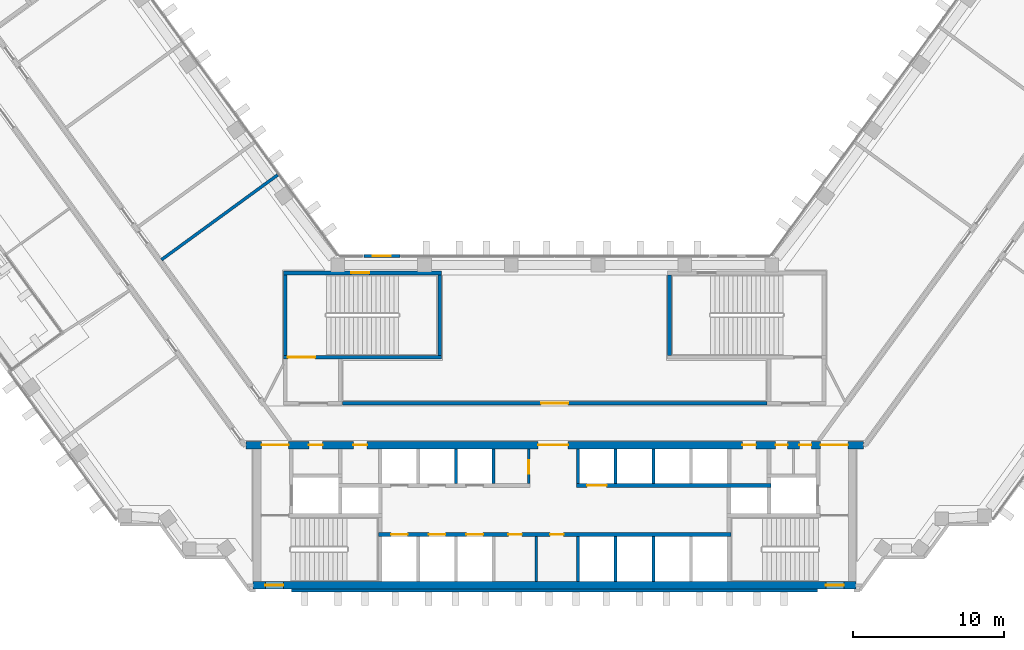
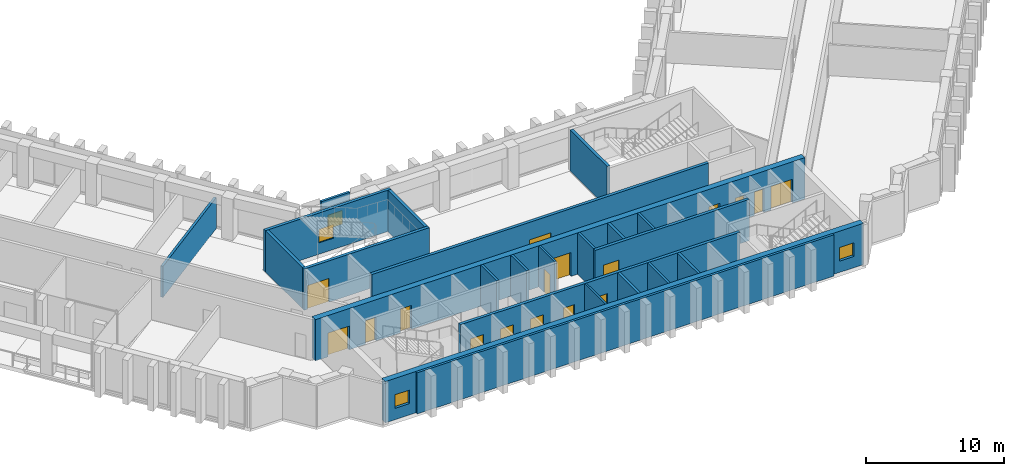
# One storey, part 9 of 16: 23 walls, 17 doors, 4 windows, 21 openings.
"""IFC4 building model written with IfcOpenShell, lengths in metres."""

from ifc_helpers import new_model, si_unit, direction, frame, frame_2d, origin, place, context, subcontext, project, spatial, rectangle, extrude, material, layer, layer_set, type_object, element, fill, save


model = new_model("IFC4")

# Units and contexts
model_context = context("Model", 3, precision=1e-05, world=origin(), true_north=direction((0.0, 1.0)))
body_context = subcontext(model_context, "Body", "Model", "MODEL_VIEW")
ifc_project = project(units=[si_unit("LENGTHUNIT", "METRE"), si_unit("AREAUNIT", "SQUARE_METRE"), si_unit("VOLUMEUNIT", "CUBIC_METRE"), si_unit("PLANEANGLEUNIT", "RADIAN"), si_unit("MASSUNIT", "GRAM", prefix="KILO")], contexts=[model_context])

# Site, building, storey
site_placement = place(None, origin())
site = spatial("IfcSite", under=ifc_project, at=site_placement, CompositionType="ELEMENT")
building_placement = place(site_placement, origin())
building = spatial("IfcBuilding", under=site, at=building_placement, Name="Quipu Civic Tower", CompositionType="ELEMENT")
storey_placement = place(building_placement, frame((0.0, 0.0, 51.0)))
storey = spatial("IfcBuildingStorey", under=building, at=storey_placement, Name="L11", CompositionType="ELEMENT", Elevation=51.0)

# Wall
ifc_material_1 = material(Name="Fired clay blockwork", Category="masonry")
ifc_layer_1 = layer(ifc_material_1, 0.199951171875)
ifc_layer_set_1 = layer_set([ifc_layer_1], Name="Fired clay blockwork")
wall_type_1 = type_object("IfcWallType", Name="Blockwork wall 200", PredefinedType="SOLIDWALL", material=ifc_layer_set_1)
wall_1_placement = place(storey_placement, frame((-26.089111328125, 10.847900390625, 0.0), z_axis=(0.0, 0.0, 1.0), x_axis=(0.807661302092, 0.589646691759, 0.0)))
element("IfcWall", 1, at=wall_1_placement, inside=storey, type_object=wall_type_1, Name="Partition P17", PredefinedType="SOLIDWALL", context=body_context, shape_type="SweptSolid", body=[
    extrude(rectangle(XDim=9.550048828125, YDim=0.199951171875, at=frame_2d((4.77490234375, 0.0))), origin(), (0.0, 0.0, 1.0), 2.75),
])

# Wall, openings, doors
ifc_material_2 = material(Name="Concrete C70/85", Category="concrete")
ifc_layer_2 = layer(ifc_material_2, 0.25)
ifc_layer_set_2 = layer_set([ifc_layer_2], Name="Concrete C70/85")
wall_type_2 = type_object("IfcWallType", Name="Core wall 250", PredefinedType="SHEAR", material=ifc_layer_set_2)
wall_2_placement = place(storey_placement, frame((11.699951171875, -7.375, 0.0), z_axis=(0.0, 0.0, 1.0), x_axis=(-1.0, 0.0, 0.0)))
wall_2 = element("IfcWall", 2, at=wall_2_placement, inside=storey, type_object=wall_type_2, Name="Core wall", PredefinedType="SHEAR", context=body_context, shape_type="SweptSolid", body=[
    extrude(rectangle(XDim=23.39990234375, YDim=0.25, at=frame_2d((11.699951171875, 0.0))), origin(), (0.0, 0.0, 1.0), 3.64990234375),
])
opening_1_placement = place(wall_2_placement, frame((21.449951171875, 0.0, 0.0)))
opening_1 = element("IfcOpeningElement", 3, at=opening_1_placement, cuts=wall_2, Name="Opening LD-LL1", PredefinedType="OPENING", context=body_context, shape_type="SweptSolid", body=[
    extrude(rectangle(XDim=1.10009765625, YDim=2.10009765625, at=frame_2d((0.550048828125, 1.050048828125))), frame((0.0, 0.135009765625, 0.0), z_axis=(0.0, -1.0, 0.0), x_axis=(1.0, 0.0, 0.0)), (0.0, 0.0, 1.0), 0.27001953125),
])
opening_2_placement = place(wall_2_placement, frame((18.949951171875, 0.0, 0.0)))
opening_2 = element("IfcOpeningElement", 4, at=opening_2_placement, cuts=wall_2, Name="Opening LD-LL2", PredefinedType="OPENING", context=body_context, shape_type="SweptSolid", body=[
    extrude(rectangle(XDim=1.10009765625, YDim=2.10009765625, at=frame_2d((0.550048828125, 1.050048828125))), frame((0.0, 0.135009765625, 0.0), z_axis=(0.0, -1.0, 0.0), x_axis=(1.0, 0.0, 0.0)), (0.0, 0.0, 1.0), 0.27001953125),
])
opening_3_placement = place(wall_2_placement, frame((16.449951171875, 0.0, 0.0)))
opening_3 = element("IfcOpeningElement", 5, at=opening_3_placement, cuts=wall_2, Name="Opening LD-LL3", PredefinedType="OPENING", context=body_context, shape_type="SweptSolid", body=[
    extrude(rectangle(XDim=1.10009765625, YDim=2.10009765625, at=frame_2d((0.550048828125, 1.050048828125))), frame((0.0, 0.135009765625, 0.0), z_axis=(0.0, -1.0, 0.0), x_axis=(1.0, 0.0, 0.0)), (0.0, 0.0, 1.0), 0.27001953125),
])
opening_4_placement = place(wall_2_placement, frame((13.875, 0.0, 0.0)))
opening_4 = element("IfcOpeningElement", 6, at=opening_4_placement, cuts=wall_2, Name="Opening CD-01", PredefinedType="OPENING", context=body_context, shape_type="SweptSolid", body=[
    extrude(rectangle(XDim=0.89990234375, YDim=2.10009765625, at=frame_2d((0.449951171875, 1.050048828125))), frame((0.0, 0.135009765625, 0.0), z_axis=(0.0, -1.0, 0.0), x_axis=(1.0, 0.0, 0.0)), (0.0, 0.0, 1.0), 0.27001953125),
])
opening_5_placement = place(wall_2_placement, frame((11.10009765625, 0.0, 0.0)))
opening_5 = element("IfcOpeningElement", 7, at=opening_5_placement, cuts=wall_2, Name="Opening CD-02", PredefinedType="OPENING", context=body_context, shape_type="SweptSolid", body=[
    extrude(rectangle(XDim=0.89990234375, YDim=2.10009765625, at=frame_2d((0.449951171875, 1.050048828125))), frame((0.0, 0.135009765625, 0.0), z_axis=(0.0, -1.0, 0.0), x_axis=(1.0, 0.0, 0.0)), (0.0, 0.0, 1.0), 0.27001953125),
])
ifc_material_3 = material(Name="Fire rated steel door", Category="steel")
door_type_1 = type_object("IfcDoorType", Name="Fire door FD60 900 x 2100", OperationType="NOTDEFINED", PredefinedType="DOOR", material=ifc_material_3)
door_1_placement = place(opening_4_placement, origin())
door_1 = element("IfcDoor", 8, at=door_1_placement, inside=storey, type_object=door_type_1, Name="WC door", OperationType="SINGLE_SWING_RIGHT", OverallHeight=2.10009765625, OverallWidth=0.89990234375, PredefinedType="DOOR", context=body_context, shape_type="SweptSolid", body=[
    extrude(rectangle(XDim=0.89990234375, YDim=2.10009765625, at=frame_2d((0.449951171875, 1.050048828125))), frame((0.0, 0.02490234375, 0.0), z_axis=(0.0, -1.0, 0.0), x_axis=(1.0, 0.0, 0.0)), (0.0, 0.0, 1.0), 0.050048828125),
])
fill(opening_4, door_1)
door_2_placement = place(opening_5_placement, origin())
door_2 = element("IfcDoor", 9, at=door_2_placement, inside=storey, type_object=door_type_1, Name="WC door", OperationType="SINGLE_SWING_LEFT", OverallHeight=2.10009765625, OverallWidth=0.89990234375, PredefinedType="DOOR", context=body_context, shape_type="SweptSolid", body=[
    extrude(rectangle(XDim=0.89990234375, YDim=2.10009765625, at=frame_2d((0.449951171875, 1.050048828125))), frame((0.0, 0.02490234375, 0.0), z_axis=(0.0, -1.0, 0.0), x_axis=(1.0, 0.0, 0.0)), (0.0, 0.0, 1.0), 0.050048828125),
])
fill(opening_5, door_2)
ifc_material_4 = material(Name="Stainless steel", Category="steel")
door_type_2 = type_object("IfcDoorType", Name="Lift landing door 1100 x 2100", OperationType="DOUBLE_DOOR_SLIDING", PredefinedType="DOOR", material=ifc_material_4)
door_3_placement = place(opening_1_placement, origin())
door_3 = element("IfcDoor", 10, at=door_3_placement, inside=storey, type_object=door_type_2, Name="Landing door LL1", OperationType="DOUBLE_DOOR_SLIDING", OverallHeight=2.10009765625, OverallWidth=1.10009765625, PredefinedType="DOOR", context=body_context, shape_type="SweptSolid", body=[
    extrude(rectangle(XDim=1.10009765625, YDim=2.10009765625, at=frame_2d((0.550048828125, 1.050048828125))), frame((0.0, 0.02490234375, 0.0), z_axis=(0.0, -1.0, 0.0), x_axis=(1.0, 0.0, 0.0)), (0.0, 0.0, 1.0), 0.050048828125),
])
fill(opening_1, door_3)
door_4_placement = place(opening_2_placement, origin())
door_4 = element("IfcDoor", 11, at=door_4_placement, inside=storey, type_object=door_type_2, Name="Landing door LL2", OperationType="DOUBLE_DOOR_SLIDING", OverallHeight=2.10009765625, OverallWidth=1.10009765625, PredefinedType="DOOR", context=body_context, shape_type="SweptSolid", body=[
    extrude(rectangle(XDim=1.10009765625, YDim=2.10009765625, at=frame_2d((0.550048828125, 1.050048828125))), frame((0.0, 0.02490234375, 0.0), z_axis=(0.0, -1.0, 0.0), x_axis=(1.0, 0.0, 0.0)), (0.0, 0.0, 1.0), 0.050048828125),
])
fill(opening_2, door_4)
door_5_placement = place(opening_3_placement, origin())
door_5 = element("IfcDoor", 12, at=door_5_placement, inside=storey, type_object=door_type_2, Name="Landing door LL3", OperationType="DOUBLE_DOOR_SLIDING", OverallHeight=2.10009765625, OverallWidth=1.10009765625, PredefinedType="DOOR", context=body_context, shape_type="SweptSolid", body=[
    extrude(rectangle(XDim=1.10009765625, YDim=2.10009765625, at=frame_2d((0.550048828125, 1.050048828125))), frame((0.0, 0.02490234375, 0.0), z_axis=(0.0, -1.0, 0.0), x_axis=(1.0, 0.0, 0.0)), (0.0, 0.0, 1.0), 0.050048828125),
])
fill(opening_3, door_5)

# Wall, opening, door
wall_3_placement = place(storey_placement, frame((1.449951171875, -4.125, 0.0), z_axis=(0.0, 0.0, 1.0), x_axis=(1.0, 0.0, 0.0)))
wall_3 = element("IfcWall", 13, at=wall_3_placement, inside=storey, type_object=wall_type_2, Name="Core wall", PredefinedType="SHEAR", context=body_context, shape_type="SweptSolid", body=[
    extrude(rectangle(XDim=12.900146484375, YDim=0.25, at=frame_2d((6.4501953125, 0.0))), origin(), (0.0, 0.0, 1.0), 3.64990234375),
])
opening_6_placement = place(wall_3_placement, frame((0.699951171875, 0.0, 0.0)))
opening_6 = element("IfcOpeningElement", 14, at=opening_6_placement, cuts=wall_3, Name="Opening LD-FF3", PredefinedType="OPENING", context=body_context, shape_type="SweptSolid", body=[
    extrude(rectangle(XDim=1.300048828125, YDim=2.10009765625, at=frame_2d((0.64990234375, 1.050048828125))), frame((0.0, 0.135009765625, 0.0), z_axis=(0.0, -1.0, 0.0), x_axis=(1.0, 0.0, 0.0)), (0.0, 0.0, 1.0), 0.27001953125),
])
ifc_material_5 = material(Name="Stainless steel", Category="steel")
door_type_3 = type_object("IfcDoorType", Name="Lift landing door 1300 x 2100", OperationType="DOUBLE_DOOR_SLIDING", PredefinedType="DOOR", material=ifc_material_5)
door_6_placement = place(opening_6_placement, origin())
door_6 = element("IfcDoor", 15, at=door_6_placement, inside=storey, type_object=door_type_3, Name="Landing door FF3", OperationType="DOUBLE_DOOR_SLIDING", OverallHeight=2.10009765625, OverallWidth=1.300048828125, PredefinedType="DOOR", context=body_context, shape_type="SweptSolid", body=[
    extrude(rectangle(XDim=1.300048828125, YDim=2.10009765625, at=frame_2d((0.64990234375, 1.050048828125))), frame((0.0, 0.02490234375, 0.0), z_axis=(0.0, -1.0, 0.0), x_axis=(1.0, 0.0, 0.0)), (0.0, 0.0, 1.0), 0.050048828125),
])
fill(opening_6, door_6)

wall_4_placement = place(storey_placement, frame((-18.0, 4.375, 0.0), z_axis=(0.0, 0.0, 1.0), x_axis=(1.0, 0.0, 0.0)))
wall_4 = element("IfcWall", 16, at=wall_4_placement, inside=storey, type_object=wall_type_2, Name="Core wall", PredefinedType="SHEAR", context=body_context, shape_type="SweptSolid", body=[
    extrude(rectangle(XDim=10.5, YDim=0.25, at=frame_2d((5.25, 0.0))), origin(), (0.0, 0.0, 1.0), 3.64990234375),
])
opening_7_placement = place(wall_4_placement, frame((0.300048828125, 0.0, 0.0)))
opening_7 = element("IfcOpeningElement", 17, at=opening_7_placement, cuts=wall_4, Name="Opening CD-15", PredefinedType="OPENING", context=body_context, shape_type="SweptSolid", body=[
    extrude(rectangle(XDim=1.800048828125, YDim=2.10009765625, at=frame_2d((0.89990234375, 1.050048828125))), frame((0.0, 0.135009765625, 0.0), z_axis=(0.0, -1.0, 0.0), x_axis=(1.0, 0.0, 0.0)), (0.0, 0.0, 1.0), 0.27001953125),
])
ifc_material_6 = material(Name="Fire rated steel door", Category="steel")
door_type_4 = type_object("IfcDoorType", Name="Fire door FD90 double 1800 x 2100", OperationType="NOTDEFINED", PredefinedType="DOOR", material=ifc_material_6)
door_7_placement = place(opening_7_placement, origin())
door_7 = element("IfcDoor", 18, at=door_7_placement, inside=storey, type_object=door_type_4, Name="Door", OperationType="DOUBLE_DOOR_SINGLE_SWING", OverallHeight=2.10009765625, OverallWidth=1.800048828125, PredefinedType="DOOR", context=body_context, shape_type="SweptSolid", body=[
    extrude(rectangle(XDim=1.800048828125, YDim=2.10009765625, at=frame_2d((0.89990234375, 1.050048828125))), frame((0.0, 0.02490234375, 0.0), z_axis=(0.0, -1.0, 0.0), x_axis=(1.0, 0.0, 0.0)), (0.0, 0.0, 1.0), 0.050048828125),
])
fill(opening_7, door_7)

# Walls
for number, where, z_axis, x_axis, name in (
    (19, (-17.875, 4.5, 0.0), (0.0, 0.0, 1.0), (0.0, 1.0, 0.0), "Core wall"),
    (20, (-7.625, 4.5, 0.0), (0.0, 0.0, 1.0), (0.0, 1.0, 0.0), "Core wall"),
):
    element("IfcWall", number, at=place(storey_placement, frame(where, z_axis=z_axis, x_axis=x_axis)), inside=storey, type_object=wall_type_2, Name=name, PredefinedType="SHEAR", context=body_context, shape_type="SweptSolid", body=[
        extrude(rectangle(XDim=5.35009765625, YDim=0.25, at=frame_2d((2.675048828125, 0.0))), origin(), (0.0, 0.0, 1.0), 3.64990234375),
    ])

# Wall, opening, window
wall_5_placement = place(storey_placement, frame((-18.0, 9.97509765625, 0.0), z_axis=(0.0, 0.0, 1.0), x_axis=(1.0, 0.0, 0.0)))
wall_5 = element("IfcWall", 21, at=wall_5_placement, inside=storey, type_object=wall_type_2, Name="Core wall", PredefinedType="SHEAR", context=body_context, shape_type="SweptSolid", body=[
    extrude(rectangle(XDim=10.5, YDim=0.25, at=frame_2d((5.25, 0.0))), origin(), (0.0, 0.0, 1.0), 3.64990234375),
])
opening_8_placement = place(wall_5_placement, frame((4.5, 0.0, 1.0)))
opening_8 = element("IfcOpeningElement", 22, at=opening_8_placement, cuts=wall_5, Name="Opening SV-3", PredefinedType="OPENING", context=body_context, shape_type="SweptSolid", body=[
    extrude(rectangle(XDim=1.199951171875, YDim=1.199951171875, at=frame_2d((0.60009765625, 0.60009765625))), frame((0.0, 0.135009765625, 0.0), z_axis=(0.0, -1.0, 0.0), x_axis=(1.0, 0.0, 0.0)), (0.0, 0.0, 1.0), 0.27001953125),
])
ifc_material_7 = material(Name="Aluminium louvre", Category="aluminium")
window_type_1 = type_object("IfcWindowType", Name="Stair ventilation louvre 1200 x 1200", PartitioningType="SINGLE_PANEL", PredefinedType="WINDOW", material=ifc_material_7)
window_1_placement = place(opening_8_placement, origin())
window_1 = element("IfcWindow", 23, at=window_1_placement, inside=storey, type_object=window_type_1, Name="Stair ventilation opening", OverallHeight=1.199951171875, OverallWidth=1.199951171875, PartitioningType="SINGLE_PANEL", PredefinedType="WINDOW", context=body_context, shape_type="SweptSolid", body=[
    extrude(rectangle(XDim=1.199951171875, YDim=1.199951171875, at=frame_2d((0.60009765625, 0.60009765625))), frame((0.0, 0.030029296875, 0.0), z_axis=(0.0, -1.0, 0.0), x_axis=(1.0, 0.0, 0.0)), (0.0, 0.0, 1.0), 0.06005859375),
])
fill(opening_8, window_1)

# Wall
wall_6_placement = place(storey_placement, frame((7.625, 4.5, 0.0), z_axis=(0.0, 0.0, 1.0), x_axis=(0.0, 1.0, 0.0)))
element("IfcWall", 24, at=wall_6_placement, inside=storey, type_object=wall_type_2, Name="Core wall", PredefinedType="SHEAR", context=body_context, shape_type="SweptSolid", body=[
    extrude(rectangle(XDim=5.35009765625, YDim=0.25, at=frame_2d((2.675048828125, 0.0))), origin(), (0.0, 0.0, 1.0), 3.64990234375),
])

# Wall, openings, windows
ifc_material_8 = material(Name="Concrete C70/85", Category="concrete")
ifc_layer_3 = layer(ifc_material_8, 0.5)
ifc_layer_set_3 = layer_set([ifc_layer_3], Name="Concrete C70/85")
wall_type_3 = type_object("IfcWallType", Name="Core wall 500", PredefinedType="SHEAR", material=ifc_layer_set_3)
wall_7_placement = place(storey_placement, frame((-20.0, -10.75, 0.0), z_axis=(0.0, 0.0, 1.0), x_axis=(1.0, 0.0, 0.0)))
wall_7 = element("IfcWall", 25, at=wall_7_placement, inside=storey, type_object=wall_type_3, Name="Core wall", PredefinedType="SHEAR", context=body_context, shape_type="SweptSolid", body=[
    extrude(rectangle(XDim=40.0, YDim=0.5, at=frame_2d((20.0, 0.0))), origin(), (0.0, 0.0, 1.0), 3.64990234375),
])
opening_9_placement = place(wall_7_placement, frame((0.800048828125, 0.0, 1.0)))
opening_9 = element("IfcOpeningElement", 26, at=opening_9_placement, cuts=wall_7, Name="Opening SV-1", PredefinedType="OPENING", context=body_context, shape_type="SweptSolid", body=[
    extrude(rectangle(XDim=1.199951171875, YDim=1.199951171875, at=frame_2d((0.60009765625, 0.60009765625))), frame((0.0, 0.260009765625, 0.0), z_axis=(0.0, -1.0, 0.0), x_axis=(1.0, 0.0, 0.0)), (0.0, 0.0, 1.0), 0.52001953125),
])
opening_10_placement = place(wall_7_placement, frame((38.0, 0.0, 1.0)))
opening_10 = element("IfcOpeningElement", 27, at=opening_10_placement, cuts=wall_7, Name="Opening SV-2", PredefinedType="OPENING", context=body_context, shape_type="SweptSolid", body=[
    extrude(rectangle(XDim=1.199951171875, YDim=1.199951171875, at=frame_2d((0.60009765625, 0.60009765625))), frame((0.0, 0.260009765625, 0.0), z_axis=(0.0, -1.0, 0.0), x_axis=(1.0, 0.0, 0.0)), (0.0, 0.0, 1.0), 0.52001953125),
])
window_2_placement = place(opening_9_placement, origin())
window_2 = element("IfcWindow", 28, at=window_2_placement, inside=storey, type_object=window_type_1, Name="Stair ventilation opening", OverallHeight=1.199951171875, OverallWidth=1.199951171875, PartitioningType="SINGLE_PANEL", PredefinedType="WINDOW", context=body_context, shape_type="SweptSolid", body=[
    extrude(rectangle(XDim=1.199951171875, YDim=1.199951171875, at=frame_2d((0.60009765625, 0.60009765625))), frame((0.0, 0.030029296875, 0.0), z_axis=(0.0, -1.0, 0.0), x_axis=(1.0, 0.0, 0.0)), (0.0, 0.0, 1.0), 0.06005859375),
])
fill(opening_9, window_2)
window_3_placement = place(opening_10_placement, origin())
window_3 = element("IfcWindow", 29, at=window_3_placement, inside=storey, type_object=window_type_1, Name="Stair ventilation opening", OverallHeight=1.199951171875, OverallWidth=1.199951171875, PartitioningType="SINGLE_PANEL", PredefinedType="WINDOW", context=body_context, shape_type="SweptSolid", body=[
    extrude(rectangle(XDim=1.199951171875, YDim=1.199951171875, at=frame_2d((0.60009765625, 0.60009765625))), frame((0.0, 0.030029296875, 0.0), z_axis=(0.0, -1.0, 0.0), x_axis=(1.0, 0.0, 0.0)), (0.0, 0.0, 1.0), 0.06005859375),
])
fill(opening_10, window_3)

# Wall, openings, doors
wall_8_placement = place(storey_placement, frame((20.489990234375, -1.449951171875, 0.0), z_axis=(0.0, 0.0, 1.0), x_axis=(-1.0, 0.0, 0.0)))
wall_8 = element("IfcWall", 30, at=wall_8_placement, inside=storey, type_object=wall_type_3, Name="Core wall", PredefinedType="SHEAR", context=body_context, shape_type="SweptSolid", body=[
    extrude(rectangle(XDim=40.97998046875, YDim=0.5, at=frame_2d((20.489990234375, 0.0))), origin(), (0.0, 0.0, 1.0), 3.64990234375),
])
opening_11_placement = place(wall_8_placement, frame((38.139892578125, 0.0, 0.0)))
opening_11 = element("IfcOpeningElement", 31, at=opening_11_placement, cuts=wall_8, Name="Opening CD-06", PredefinedType="OPENING", context=body_context, shape_type="SweptSolid", body=[
    extrude(rectangle(XDim=1.800048828125, YDim=2.10009765625, at=frame_2d((0.89990234375, 1.050048828125))), frame((0.0, 0.260009765625, 0.0), z_axis=(0.0, -1.0, 0.0), x_axis=(1.0, 0.0, 0.0)), (0.0, 0.0, 1.0), 0.52001953125),
])
opening_12_placement = place(wall_8_placement, frame((35.889892578125, 0.0, 0.0)))
opening_12 = element("IfcOpeningElement", 32, at=opening_12_placement, cuts=wall_8, Name="Opening CD-07", PredefinedType="OPENING", context=body_context, shape_type="SweptSolid", body=[
    extrude(rectangle(XDim=0.89990234375, YDim=2.10009765625, at=frame_2d((0.449951171875, 1.050048828125))), frame((0.0, 0.260009765625, 0.0), z_axis=(0.0, -1.0, 0.0), x_axis=(1.0, 0.0, 0.0)), (0.0, 0.0, 1.0), 0.52001953125),
])
opening_13_placement = place(wall_8_placement, frame((32.93994140625, 0.0, 0.0)))
opening_13 = element("IfcOpeningElement", 33, at=opening_13_placement, cuts=wall_8, Name="Opening CD-08", PredefinedType="OPENING", context=body_context, shape_type="SweptSolid", body=[
    extrude(rectangle(XDim=0.89990234375, YDim=2.10009765625, at=frame_2d((0.449951171875, 1.050048828125))), frame((0.0, 0.260009765625, 0.0), z_axis=(0.0, -1.0, 0.0), x_axis=(1.0, 0.0, 0.0)), (0.0, 0.0, 1.0), 0.52001953125),
])
opening_14_placement = place(wall_8_placement, frame((19.590087890625, 0.0, 0.0)))
opening_14 = element("IfcOpeningElement", 34, at=opening_14_placement, cuts=wall_8, Name="Opening CD-09", PredefinedType="OPENING", context=body_context, shape_type="SweptSolid", body=[
    extrude(rectangle(XDim=2.0, YDim=2.10009765625, at=frame_2d((1.0, 1.050048828125))), frame((0.0, 0.260009765625, 0.0), z_axis=(0.0, -1.0, 0.0), x_axis=(1.0, 0.0, 0.0)), (0.0, 0.0, 1.0), 0.52001953125),
])
opening_15_placement = place(wall_8_placement, frame((7.139892578125, 0.0, 0.0)))
opening_15 = element("IfcOpeningElement", 35, at=opening_15_placement, cuts=wall_8, Name="Opening CD-10", PredefinedType="OPENING", context=body_context, shape_type="SweptSolid", body=[
    extrude(rectangle(XDim=0.89990234375, YDim=2.10009765625, at=frame_2d((0.449951171875, 1.050048828125))), frame((0.0, 0.260009765625, 0.0), z_axis=(0.0, -1.0, 0.0), x_axis=(1.0, 0.0, 0.0)), (0.0, 0.0, 1.0), 0.52001953125),
])
opening_16_placement = place(wall_8_placement, frame((5.027587890625, 0.0, 0.0)))
opening_16 = element("IfcOpeningElement", 36, at=opening_16_placement, cuts=wall_8, Name="Opening CD-11", PredefinedType="OPENING", context=body_context, shape_type="SweptSolid", body=[
    extrude(rectangle(XDim=0.800048828125, YDim=2.10009765625, at=frame_2d((0.39990234375, 1.050048828125))), frame((0.0, 0.260009765625, 0.0), z_axis=(0.0, -1.0, 0.0), x_axis=(1.0, 0.0, 0.0)), (0.0, 0.0, 1.0), 0.52001953125),
])
opening_17_placement = place(wall_8_placement, frame((3.452392578125, 0.0, 0.0)))
opening_17 = element("IfcOpeningElement", 37, at=opening_17_placement, cuts=wall_8, Name="Opening CD-12", PredefinedType="OPENING", context=body_context, shape_type="SweptSolid", body=[
    extrude(rectangle(XDim=0.800048828125, YDim=2.10009765625, at=frame_2d((0.39990234375, 1.050048828125))), frame((0.0, 0.260009765625, 0.0), z_axis=(0.0, -1.0, 0.0), x_axis=(1.0, 0.0, 0.0)), (0.0, 0.0, 1.0), 0.52001953125),
])
opening_18_placement = place(wall_8_placement, frame((1.0400390625, 0.0, 0.0)))
opening_18 = element("IfcOpeningElement", 38, at=opening_18_placement, cuts=wall_8, Name="Opening CD-13", PredefinedType="OPENING", context=body_context, shape_type="SweptSolid", body=[
    extrude(rectangle(XDim=1.800048828125, YDim=2.10009765625, at=frame_2d((0.89990234375, 1.050048828125))), frame((0.0, 0.260009765625, 0.0), z_axis=(0.0, -1.0, 0.0), x_axis=(1.0, 0.0, 0.0)), (0.0, 0.0, 1.0), 0.52001953125),
])
ifc_material_9 = material(Name="Fire rated steel door", Category="steel")
door_type_5 = type_object("IfcDoorType", Name="Fire door FD60 800 x 2100", OperationType="NOTDEFINED", PredefinedType="DOOR", material=ifc_material_9)
door_8_placement = place(opening_16_placement, origin())
door_8 = element("IfcDoor", 39, at=door_8_placement, inside=storey, type_object=door_type_5, Name="Door", OperationType="SINGLE_SWING_LEFT", OverallHeight=2.10009765625, OverallWidth=0.800048828125, PredefinedType="DOOR", context=body_context, shape_type="SweptSolid", body=[
    extrude(rectangle(XDim=0.800048828125, YDim=2.10009765625, at=frame_2d((0.39990234375, 1.050048828125))), frame((0.0, 0.02490234375, 0.0), z_axis=(0.0, -1.0, 0.0), x_axis=(1.0, 0.0, 0.0)), (0.0, 0.0, 1.0), 0.050048828125),
])
fill(opening_16, door_8)
door_9_placement = place(opening_17_placement, origin())
door_9 = element("IfcDoor", 40, at=door_9_placement, inside=storey, type_object=door_type_5, Name="Door", OperationType="SINGLE_SWING_LEFT", OverallHeight=2.10009765625, OverallWidth=0.800048828125, PredefinedType="DOOR", context=body_context, shape_type="SweptSolid", body=[
    extrude(rectangle(XDim=0.800048828125, YDim=2.10009765625, at=frame_2d((0.39990234375, 1.050048828125))), frame((0.0, 0.02490234375, 0.0), z_axis=(0.0, -1.0, 0.0), x_axis=(1.0, 0.0, 0.0)), (0.0, 0.0, 1.0), 0.050048828125),
])
fill(opening_17, door_9)
door_10_placement = place(opening_12_placement, origin())
door_10 = element("IfcDoor", 41, at=door_10_placement, inside=storey, type_object=door_type_1, Name="Door", OperationType="SINGLE_SWING_RIGHT", OverallHeight=2.10009765625, OverallWidth=0.89990234375, PredefinedType="DOOR", context=body_context, shape_type="SweptSolid", body=[
    extrude(rectangle(XDim=0.89990234375, YDim=2.10009765625, at=frame_2d((0.449951171875, 1.050048828125))), frame((0.0, 0.02490234375, 0.0), z_axis=(0.0, -1.0, 0.0), x_axis=(1.0, 0.0, 0.0)), (0.0, 0.0, 1.0), 0.050048828125),
])
fill(opening_12, door_10)
door_11_placement = place(opening_13_placement, origin())
door_11 = element("IfcDoor", 42, at=door_11_placement, inside=storey, type_object=door_type_1, Name="Riser door", OperationType="SINGLE_SWING_RIGHT", OverallHeight=2.10009765625, OverallWidth=0.89990234375, PredefinedType="DOOR", context=body_context, shape_type="SweptSolid", body=[
    extrude(rectangle(XDim=0.89990234375, YDim=2.10009765625, at=frame_2d((0.449951171875, 1.050048828125))), frame((0.0, 0.02490234375, 0.0), z_axis=(0.0, -1.0, 0.0), x_axis=(1.0, 0.0, 0.0)), (0.0, 0.0, 1.0), 0.050048828125),
])
fill(opening_13, door_11)
door_12_placement = place(opening_15_placement, origin())
door_12 = element("IfcDoor", 43, at=door_12_placement, inside=storey, type_object=door_type_1, Name="Riser door", OperationType="SINGLE_SWING_LEFT", OverallHeight=2.10009765625, OverallWidth=0.89990234375, PredefinedType="DOOR", context=body_context, shape_type="SweptSolid", body=[
    extrude(rectangle(XDim=0.89990234375, YDim=2.10009765625, at=frame_2d((0.449951171875, 1.050048828125))), frame((0.0, 0.02490234375, 0.0), z_axis=(0.0, -1.0, 0.0), x_axis=(1.0, 0.0, 0.0)), (0.0, 0.0, 1.0), 0.050048828125),
])
fill(opening_15, door_12)
door_13_placement = place(opening_11_placement, origin())
door_13 = element("IfcDoor", 44, at=door_13_placement, inside=storey, type_object=door_type_4, Name="Lobby door", OperationType="DOUBLE_DOOR_SINGLE_SWING", OverallHeight=2.10009765625, OverallWidth=1.800048828125, PredefinedType="DOOR", context=body_context, shape_type="SweptSolid", body=[
    extrude(rectangle(XDim=1.800048828125, YDim=2.10009765625, at=frame_2d((0.89990234375, 1.050048828125))), frame((0.0, 0.02490234375, 0.0), z_axis=(0.0, -1.0, 0.0), x_axis=(1.0, 0.0, 0.0)), (0.0, 0.0, 1.0), 0.050048828125),
])
fill(opening_11, door_13)
door_14_placement = place(opening_18_placement, origin())
door_14 = element("IfcDoor", 45, at=door_14_placement, inside=storey, type_object=door_type_4, Name="Lobby door", OperationType="DOUBLE_DOOR_SINGLE_SWING", OverallHeight=2.10009765625, OverallWidth=1.800048828125, PredefinedType="DOOR", context=body_context, shape_type="SweptSolid", body=[
    extrude(rectangle(XDim=1.800048828125, YDim=2.10009765625, at=frame_2d((0.89990234375, 1.050048828125))), frame((0.0, 0.02490234375, 0.0), z_axis=(0.0, -1.0, 0.0), x_axis=(1.0, 0.0, 0.0)), (0.0, 0.0, 1.0), 0.050048828125),
])
fill(opening_18, door_14)
ifc_material_10 = material(Name="Fire rated steel door", Category="steel")
door_type_6 = type_object("IfcDoorType", Name="Fire door FD90 double 2000 x 2100", OperationType="NOTDEFINED", PredefinedType="DOOR", material=ifc_material_10)
door_15_placement = place(opening_14_placement, origin())
door_15 = element("IfcDoor", 46, at=door_15_placement, inside=storey, type_object=door_type_6, Name="Lobby door", OperationType="DOUBLE_DOOR_SINGLE_SWING", OverallHeight=2.10009765625, OverallWidth=2.0, PredefinedType="DOOR", context=body_context, shape_type="SweptSolid", body=[
    extrude(rectangle(XDim=2.0, YDim=2.10009765625, at=frame_2d((1.0, 1.050048828125))), frame((0.0, 0.02490234375, 0.0), z_axis=(0.0, -1.0, 0.0), x_axis=(1.0, 0.0, 0.0)), (0.0, 0.0, 1.0), 0.050048828125),
])
fill(opening_14, door_15)

# Wall, opening, door
ifc_material_11 = material(Name="Concrete C50/60", Category="concrete")
ifc_layer_4 = layer(ifc_material_11, 0.25)
ifc_layer_set_4 = layer_set([ifc_layer_4], Name="Concrete C50/60")
wall_type_4 = type_object("IfcWallType", Name="Corridor wall 250 concrete", PredefinedType="SOLIDWALL", material=ifc_layer_set_4)
wall_9_placement = place(storey_placement, frame((-14.090087890625, 1.324951171875, 0.0), z_axis=(0.0, 0.0, 1.0), x_axis=(1.0, 0.0, 0.0)))
wall_9 = element("IfcWall", 47, at=wall_9_placement, inside=storey, type_object=wall_type_4, Name="Corridor wall C05", PredefinedType="SOLIDWALL", context=body_context, shape_type="SweptSolid", body=[
    extrude(rectangle(XDim=28.18017578125, YDim=0.25, at=frame_2d((14.090087890625, 0.0))), origin(), (0.0, 0.0, 1.0), 3.64990234375),
])
opening_19_placement = place(wall_9_placement, frame((13.18994140625, 0.0, 0.0)))
opening_19 = element("IfcOpeningElement", 48, at=opening_19_placement, cuts=wall_9, Name="Opening D011", PredefinedType="OPENING", context=body_context, shape_type="SweptSolid", body=[
    extrude(rectangle(XDim=1.800048828125, YDim=2.10009765625, at=frame_2d((0.89990234375, 1.050048828125))), frame((0.0, 0.135009765625, 0.0), z_axis=(0.0, -1.0, 0.0), x_axis=(1.0, 0.0, 0.0)), (0.0, 0.0, 1.0), 0.27001953125),
])
ifc_material_12 = material(Name="Fire rated timber door set with metal frame", Category="wood")
door_type_7 = type_object("IfcDoorType", Name="Double door 1800 x 2100 FD60", OperationType="DOUBLE_DOOR_SINGLE_SWING", PredefinedType="DOOR", material=ifc_material_12)
door_16_placement = place(opening_19_placement, origin())
door_16 = element("IfcDoor", 49, at=door_16_placement, inside=storey, type_object=door_type_7, Name="Door D011", OperationType="DOUBLE_DOOR_SINGLE_SWING", OverallHeight=2.10009765625, OverallWidth=1.800048828125, PredefinedType="DOOR", context=body_context, shape_type="SweptSolid", body=[
    extrude(rectangle(XDim=1.800048828125, YDim=2.10009765625, at=frame_2d((0.89990234375, 1.050048828125))), frame((0.0, 0.02490234375, 0.0), z_axis=(0.0, -1.0, 0.0), x_axis=(1.0, 0.0, 0.0)), (0.0, 0.0, 1.0), 0.050048828125),
])
fill(opening_19, door_16)

# Wall
ifc_material_13 = material(Name="Gypsum board partition")
ifc_layer_5 = layer(ifc_material_13, 0.14990234375)
ifc_layer_set_5 = layer_set([ifc_layer_5], Name="Gypsum board partition")
wall_type_5 = type_object("IfcWallType", Name="Partition 150", PredefinedType="PARTITIONING", material=ifc_layer_set_5)
wall_10_placement = place(storey_placement, frame((-1.22509765625, -10.5, 0.0), z_axis=(0.0, 0.0, 1.0), x_axis=(0.0, 1.0, 0.0)))
element("IfcWall", 50, at=wall_10_placement, inside=storey, type_object=wall_type_5, Name="Partition", PredefinedType="PARTITIONING", context=body_context, shape_type="SweptSolid", body=[
    extrude(rectangle(XDim=3.0, YDim=0.14990234375, at=frame_2d((1.5, 0.0))), origin(), (0.0, 0.0, 1.0), 3.64990234375),
])

# Wall, opening, door
wall_11_placement = place(storey_placement, frame((-1.72509765625, -1.699951171875, 0.0), z_axis=(0.0, 0.0, 1.0), x_axis=(0.0, -1.0, 0.0)))
wall_11 = element("IfcWall", 51, at=wall_11_placement, inside=storey, type_object=wall_type_5, Name="Partition", PredefinedType="PARTITIONING", context=body_context, shape_type="SweptSolid", body=[
    extrude(rectangle(XDim=2.300048828125, YDim=0.14990234375, at=frame_2d((1.14990234375, 0.0))), origin(), (0.0, 0.0, 1.0), 3.64990234375),
])
opening_20_placement = place(wall_11_placement, frame((0.75, 0.0, 0.0)))
opening_20 = element("IfcOpeningElement", 52, at=opening_20_placement, cuts=wall_11, Name="Opening CD-05", PredefinedType="OPENING", context=body_context, shape_type="SweptSolid", body=[
    extrude(rectangle(XDim=0.89990234375, YDim=2.10009765625, at=frame_2d((0.449951171875, 1.050048828125))), frame((0.0, 0.0849609375, 0.0), z_axis=(0.0, -1.0, 0.0), x_axis=(1.0, 0.0, 0.0)), (0.0, 0.0, 1.0), 0.169921875),
])
door_17_placement = place(opening_20_placement, origin())
door_17 = element("IfcDoor", 53, at=door_17_placement, inside=storey, type_object=door_type_1, Name="WC door", OperationType="SINGLE_SWING_RIGHT", OverallHeight=2.10009765625, OverallWidth=0.89990234375, PredefinedType="DOOR", context=body_context, shape_type="SweptSolid", body=[
    extrude(rectangle(XDim=0.89990234375, YDim=2.10009765625, at=frame_2d((0.449951171875, 1.050048828125))), frame((0.0, 0.02490234375, 0.0), z_axis=(0.0, -1.0, 0.0), x_axis=(1.0, 0.0, 0.0)), (0.0, 0.0, 1.0), 0.050048828125),
])
fill(opening_20, door_17)

# Wall
ifc_material_14 = material(Name="Precast concrete C40/50", Category="concrete")
wall_type_6 = type_object("IfcWallType", Name="Precast cladding wall", PredefinedType="SOLIDWALL", material=ifc_material_14)
wall_12_placement = place(storey_placement, frame((-17.44384765625, -11.087890625, 0.0), z_axis=(0.0, 0.0, 1.0), x_axis=(1.0, 0.0, 0.0)))
element("IfcWall", 54, at=wall_12_placement, inside=storey, type_object=wall_type_6, Name="Precast cladding wall L11 P06", PredefinedType="SOLIDWALL", context=body_context, shape_type="SweptSolid", body=[
    extrude(rectangle(XDim=34.8876953125, YDim=0.199951171875, at=frame_2d((17.44384765625, 0.0))), origin(), (0.0, 0.0, 1.0), 3.64990234375),
])

# Wall, opening, window
wall_13_placement = place(storey_placement, frame((-10.263427734375, 11.10009765625, 0.0), z_axis=(0.0, 0.0, 1.0), x_axis=(-1.0, 0.0, 0.0)))
wall_13 = element("IfcWall", 55, at=wall_13_placement, inside=storey, type_object=wall_type_6, Name="Vent surround SF-L09-1", PredefinedType="SOLIDWALL", context=body_context, shape_type="SweptSolid", body=[
    extrude(rectangle(XDim=2.3916015625, YDim=0.199951171875, at=frame_2d((1.19580078125, 0.0))), origin(), (0.0, 0.0, 1.0), 3.64990234375),
])
opening_21_placement = place(wall_13_placement, frame((0.595703125, 0.0, 1.0)))
opening_21 = element("IfcOpeningElement", 56, at=opening_21_placement, cuts=wall_13, Name="Opening SF-L09-1", PredefinedType="OPENING", context=body_context, shape_type="SweptSolid", body=[
    extrude(rectangle(XDim=1.199951171875, YDim=1.199951171875, at=frame_2d((0.60009765625, 0.60009765625))), frame((0.0, 0.10986328125, 0.0), z_axis=(0.0, -1.0, 0.0), x_axis=(1.0, 0.0, 0.0)), (0.0, 0.0, 1.0), 0.219970703125),
])
ifc_material_15 = material(Name="Anodised aluminium louvre", Category="aluminium")
window_type_2 = type_object("IfcWindowType", Name="Stair vent louvre window P3", PartitioningType="SINGLE_PANEL", PredefinedType="WINDOW", material=ifc_material_15)
window_4_placement = place(opening_21_placement, origin())
window_4 = element("IfcWindow", 57, at=window_4_placement, inside=storey, type_object=window_type_2, Name="Stair vent louvre SF-L09-1", OverallHeight=1.199951171875, OverallWidth=1.199951171875, PartitioningType="SINGLE_PANEL", PredefinedType="WINDOW", context=body_context, shape_type="SweptSolid", body=[
    extrude(rectangle(XDim=1.199951171875, YDim=1.199951171875, at=frame_2d((0.60009765625, 0.60009765625))), frame((0.0, 0.030029296875, 0.0), z_axis=(0.0, -1.0, 0.0), x_axis=(1.0, 0.0, 0.0)), (0.0, 0.0, 1.0), 0.06005859375),
])
fill(opening_21, window_4)

# Walls
ifc_material_16 = material(Name="Concrete C40/50", Category="concrete")
ifc_layer_6 = layer(ifc_material_16, 0.199951171875)
ifc_layer_set_6 = layer_set([ifc_layer_6], Name="Concrete C40/50")
wall_type_7 = type_object("IfcWallType", Name="Shaft wall 200", PredefinedType="SOLIDWALL", material=ifc_layer_set_6)
for number, where, z_axis, x_axis, name in (
    (58, (1.550048828125, -10.5, 0.0), (0.0, 0.0, 1.0), (0.0, 1.0, 0.0), "Shaft wall"),
    (59, (4.050048828125, -10.5, 0.0), (0.0, 0.0, 1.0), (0.0, 1.0, 0.0), "Shaft wall"),
    (60, (6.550048828125, -10.5, 0.0), (0.0, 0.0, 1.0), (0.0, 1.0, 0.0), "Shaft wall"),
):
    element("IfcWall", number, at=place(storey_placement, frame(where, z_axis=z_axis, x_axis=x_axis)), inside=storey, type_object=wall_type_7, Name=name, PredefinedType="SOLIDWALL", context=body_context, shape_type="SweptSolid", body=[
        extrude(rectangle(XDim=3.0, YDim=0.199951171875, at=frame_2d((1.5, 0.0))), origin(), (0.0, 0.0, 1.0), 3.64990234375),
    ])
for number, where, z_axis, x_axis, name in (
    (61, (-6.550048828125, -4.0, 0.0), (0.0, 0.0, 1.0), (0.0, 1.0, 0.0), "Shaft wall"),
    (62, (-4.050048828125, -4.0, 0.0), (0.0, 0.0, 1.0), (0.0, 1.0, 0.0), "Shaft wall"),
    (63, (1.550048828125, -4.0, 0.0), (0.0, 0.0, 1.0), (0.0, 1.0, 0.0), "Shaft wall"),
    (64, (4.050048828125, -4.0, 0.0), (0.0, 0.0, 1.0), (0.0, 1.0, 0.0), "Shaft wall"),
    (65, (6.550048828125, -4.0, 0.0), (0.0, 0.0, 1.0), (0.0, 1.0, 0.0), "Shaft wall"),
):
    element("IfcWall", number, at=place(storey_placement, frame(where, z_axis=z_axis, x_axis=x_axis)), inside=storey, type_object=wall_type_7, Name=name, PredefinedType="SOLIDWALL", context=body_context, shape_type="SweptSolid", body=[
        extrude(rectangle(XDim=2.300048828125, YDim=0.199951171875, at=frame_2d((1.14990234375, 0.0))), origin(), (0.0, 0.0, 1.0), 3.64990234375),
    ])

save(model, "model.ifc")
